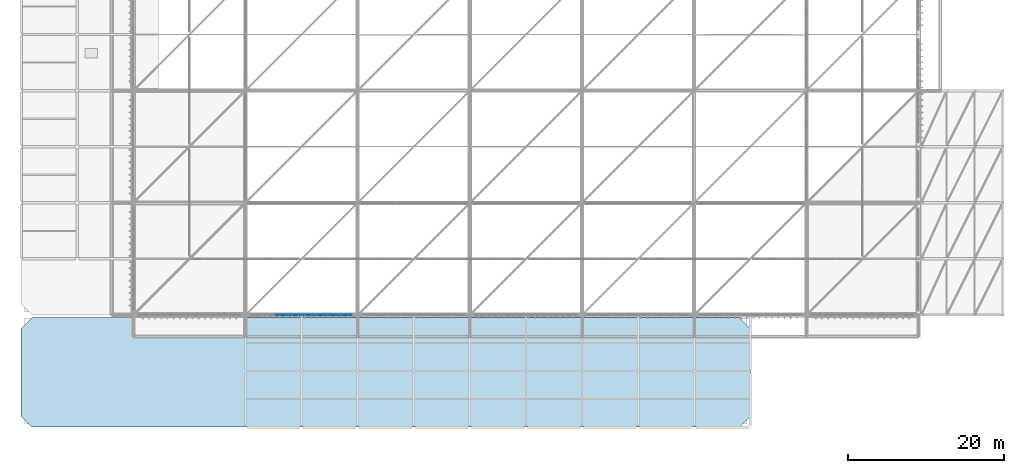
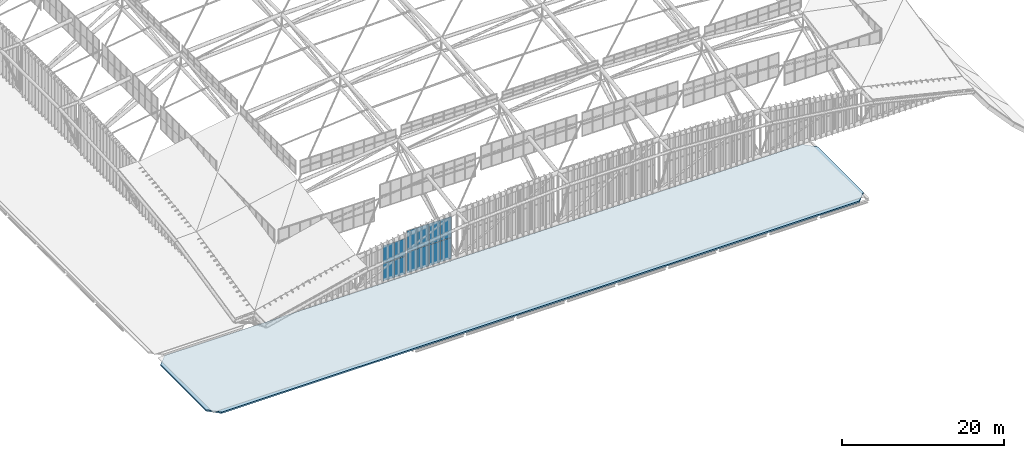
# One storey, part 359 of 397: 12 plates, 1 slab, 2 elements without a shape of their own.
"""IFC4 building model written with IfcOpenShell, lengths in metres."""

from ifc_helpers import new_model, si_unit, direction, frame, origin, origin_2d, place, context, subcontext, project, spatial, polyline, rectangle, outline, extrude, material, layer, layer_set, type_object, element, aggregate, save


model = new_model("IFC4")

# Units and contexts
model_context = context("Model", 3, precision=1e-05, world=origin(), true_north=direction((0.0, 1.0)))
body_context = subcontext(model_context, "Body", "Model", "MODEL_VIEW")
ifc_project = project(units=[si_unit("LENGTHUNIT", "METRE"), si_unit("AREAUNIT", "SQUARE_METRE"), si_unit("VOLUMEUNIT", "CUBIC_METRE"), si_unit("PLANEANGLEUNIT", "RADIAN"), si_unit("MASSUNIT", "GRAM", prefix="KILO")], contexts=[model_context])

# Site, building, storey
site_placement = place(None, origin())
site = spatial("IfcSite", under=ifc_project, at=site_placement, CompositionType="ELEMENT")
building_placement = place(site_placement, origin())
building = spatial("IfcBuilding", under=site, at=building_placement, Name="Qandorah Velis Arena", CompositionType="ELEMENT")
storey_placement = place(building_placement, frame((0.0, 0.0, 27.5)))
storey = spatial("IfcBuildingStorey", under=building, at=storey_placement, Name="RF", CompositionType="ELEMENT", Elevation=27.5)

# Curtain wall, plates
ifc_material_1 = material(Name="Solar-control low-E double glazing", Category="glass")
curtain_wall_type_1 = type_object("IfcCurtainWallType", Name="ARC-CW-SYS18", PredefinedType="USERDEFINED", material=ifc_material_1)
curtain_wall_1_placement = place(storey_placement, origin())
curtain_wall_1 = element("IfcCurtainWall", 1, at=curtain_wall_1_placement, inside=storey, type_object=curtain_wall_type_1, Name="Unitised curtain wall CROWN-3-02S1", ObjectType="UNITISED CURTAIN WALL", PredefinedType="USERDEFINED")
ifc_layer_1 = layer(ifc_material_1, 0.035888671875)
ifc_layer_set_1 = layer_set([ifc_layer_1], Name="Solar-control low-E double glazing")
plate_type = type_object("IfcPlateType", Name="ARC-CWP-GLZ36", PredefinedType="CURTAIN_PANEL", material=ifc_layer_set_1)
plate_1_placement = place(storey_placement, frame((33.481201171875, 14.39990234375, 0.0498046875), z_axis=(0.0, 0.0, 1.0), x_axis=(1.0, 0.0, 0.0)))
plate_1 = element("IfcPlate", 2, at=plate_1_placement, type_object=plate_type, Name="CW18 panel 3.1", PredefinedType="CURTAIN_PANEL", context=body_context, shape_type="SweptSolid", body=[
    extrude(rectangle(XDim=1.612548828125, YDim=0.035888671875, at=origin_2d()), origin(), (0.0, 0.0, 1.0), 2.630615234375),
])
plate_2_placement = place(storey_placement, frame((33.481201171875, 14.39990234375, 2.720458984375), z_axis=(0.0, 0.0, 1.0), x_axis=(1.0, 0.0, 0.0)))
plate_2 = element("IfcPlate", 3, at=plate_2_placement, type_object=plate_type, Name="CW18 panel 3.2", PredefinedType="CURTAIN_PANEL", context=body_context, shape_type="SweptSolid", body=[
    extrude(rectangle(XDim=1.612548828125, YDim=0.035888671875, at=origin_2d()), origin(), (0.0, 0.0, 1.0), 2.63037109375),
])
plate_3_placement = place(storey_placement, frame((35.11865234375, 14.39990234375, 0.0498046875), z_axis=(0.0, 0.0, 1.0), x_axis=(1.0, 0.0, 0.0)))
plate_3 = element("IfcPlate", 4, at=plate_3_placement, type_object=plate_type, Name="CW18 panel 4.1", PredefinedType="CURTAIN_PANEL", context=body_context, shape_type="SweptSolid", body=[
    extrude(rectangle(XDim=1.58251953125, YDim=0.035888671875, at=origin_2d()), origin(), (0.0, 0.0, 1.0), 2.630615234375),
])
plate_4_placement = place(storey_placement, frame((35.11865234375, 14.39990234375, 2.720458984375), z_axis=(0.0, 0.0, 1.0), x_axis=(1.0, 0.0, 0.0)))
plate_4 = element("IfcPlate", 5, at=plate_4_placement, type_object=plate_type, Name="CW18 panel 4.2", PredefinedType="CURTAIN_PANEL", context=body_context, shape_type="SweptSolid", body=[
    extrude(rectangle(XDim=1.58251953125, YDim=0.035888671875, at=origin_2d()), origin(), (0.0, 0.0, 1.0), 2.63037109375),
])
aggregate(curtain_wall_1, [plate_1, plate_2, plate_3, plate_4])

curtain_wall_type_2 = type_object("IfcCurtainWallType", Name="ARC-CW-SYS19", PredefinedType="USERDEFINED", material=ifc_material_1)
curtain_wall_2_placement = place(storey_placement, origin())
curtain_wall_2 = element("IfcCurtainWall", 6, at=curtain_wall_2_placement, inside=storey, type_object=curtain_wall_type_2, Name="Unitised curtain wall CROWN-3-02S2", ObjectType="UNITISED CURTAIN WALL", PredefinedType="USERDEFINED")
plate_5_placement = place(storey_placement, frame((36.859375, 14.39990234375, 0.050048828125), z_axis=(0.0, 0.0, 1.0), x_axis=(1.0, 0.0, 0.0)))
plate_5 = element("IfcPlate", 7, at=plate_5_placement, type_object=plate_type, Name="CW19 panel 1.1", PredefinedType="CURTAIN_PANEL", context=body_context, shape_type="SweptSolid", body=[
    extrude(rectangle(XDim=1.538818359375, YDim=0.035888671875, at=origin_2d()), origin(), (0.0, 0.0, 1.0), 3.14990234375),
])
plate_6_placement = place(storey_placement, frame((36.859375, 14.39990234375, 3.23974609375), z_axis=(0.0, 0.0, 1.0), x_axis=(1.0, 0.0, 0.0)))
plate_6 = element("IfcPlate", 8, at=plate_6_placement, type_object=plate_type, Name="CW19 panel 1.2", PredefinedType="CURTAIN_PANEL", context=body_context, shape_type="SweptSolid", body=[
    extrude(rectangle(XDim=1.538818359375, YDim=0.035888671875, at=origin_2d()), origin(), (0.0, 0.0, 1.0), 3.14990234375),
])
plate_7_placement = place(storey_placement, frame((38.453125, 14.39990234375, 0.050048828125), z_axis=(0.0, 0.0, 1.0), x_axis=(1.0, 0.0, 0.0)))
plate_7 = element("IfcPlate", 9, at=plate_7_placement, type_object=plate_type, Name="CW19 panel 2.1", PredefinedType="CURTAIN_PANEL", context=body_context, shape_type="SweptSolid", body=[
    extrude(rectangle(XDim=1.56884765625, YDim=0.035888671875, at=origin_2d()), origin(), (0.0, 0.0, 1.0), 3.14990234375),
])
plate_8_placement = place(storey_placement, frame((38.453125, 14.39990234375, 3.23974609375), z_axis=(0.0, 0.0, 1.0), x_axis=(1.0, 0.0, 0.0)))
plate_8 = element("IfcPlate", 10, at=plate_8_placement, type_object=plate_type, Name="CW19 panel 2.2", PredefinedType="CURTAIN_PANEL", context=body_context, shape_type="SweptSolid", body=[
    extrude(rectangle(XDim=1.56884765625, YDim=0.035888671875, at=origin_2d()), origin(), (0.0, 0.0, 1.0), 3.14990234375),
])
plate_9_placement = place(storey_placement, frame((40.061767578125, 14.39990234375, 0.050048828125), z_axis=(0.0, 0.0, 1.0), x_axis=(1.0, 0.0, 0.0)))
plate_9 = element("IfcPlate", 11, at=plate_9_placement, type_object=plate_type, Name="CW19 panel 3.1", PredefinedType="CURTAIN_PANEL", context=body_context, shape_type="SweptSolid", body=[
    extrude(rectangle(XDim=1.56884765625, YDim=0.035888671875, at=origin_2d()), origin(), (0.0, 0.0, 1.0), 3.14990234375),
])
plate_10_placement = place(storey_placement, frame((40.061767578125, 14.39990234375, 3.23974609375), z_axis=(0.0, 0.0, 1.0), x_axis=(1.0, 0.0, 0.0)))
plate_10 = element("IfcPlate", 12, at=plate_10_placement, type_object=plate_type, Name="CW19 panel 3.2", PredefinedType="CURTAIN_PANEL", context=body_context, shape_type="SweptSolid", body=[
    extrude(rectangle(XDim=1.56884765625, YDim=0.035888671875, at=origin_2d()), origin(), (0.0, 0.0, 1.0), 3.14990234375),
])
plate_11_placement = place(storey_placement, frame((41.655517578125, 14.39990234375, 0.050048828125), z_axis=(0.0, 0.0, 1.0), x_axis=(1.0, 0.0, 0.0)))
plate_11 = element("IfcPlate", 13, at=plate_11_placement, type_object=plate_type, Name="CW19 panel 4.1", PredefinedType="CURTAIN_PANEL", context=body_context, shape_type="SweptSolid", body=[
    extrude(rectangle(XDim=1.538818359375, YDim=0.035888671875, at=origin_2d()), origin(), (0.0, 0.0, 1.0), 3.14990234375),
])
plate_12_placement = place(storey_placement, frame((41.655517578125, 14.39990234375, 3.23974609375), z_axis=(0.0, 0.0, 1.0), x_axis=(1.0, 0.0, 0.0)))
plate_12 = element("IfcPlate", 14, at=plate_12_placement, type_object=plate_type, Name="CW19 panel 4.2", PredefinedType="CURTAIN_PANEL", context=body_context, shape_type="SweptSolid", body=[
    extrude(rectangle(XDim=1.538818359375, YDim=0.035888671875, at=origin_2d()), origin(), (0.0, 0.0, 1.0), 3.14990234375),
])
aggregate(curtain_wall_2, [plate_5, plate_6, plate_7, plate_8, plate_9, plate_10, plate_11, plate_12])

# Slab
ifc_material_2 = material(Name="Concrete C40/50", Category="concrete")
ifc_layer_2 = layer(ifc_material_2, 0.219970703125)
ifc_layer_set_2 = layer_set([ifc_layer_2], Name="Concrete C40/50")
slab_type = type_object("IfcSlabType", Name="STR-SLB-RF220", PredefinedType="ROOF", material=ifc_layer_set_2)
slab_placement = place(storey_placement, frame((0.0, 0.0, -0.219970703125)))
element("IfcSlab", 15, at=slab_placement, inside=storey, type_object=slab_type, Name="Roof slab SLB-ROOF-SKY-S", PredefinedType="ROOF", context=body_context, shape_type="SweptSolid", body=[
    extrude(outline(polyline([(1.39990234375, 0.0), (92.199951171875, 0.0), (93.60009765625, 1.39990234375), (93.60009765625, 12.64990234375), (92.199951171875, 14.050048828125), (1.39990234375, 14.050048828125), (0.0, 12.64990234375), (0.0, 1.39990234375), (1.39990234375, 0.0)])), origin(), (0.0, 0.0, 1.0), 0.219970703125),
])

save(model, "model.ifc")
